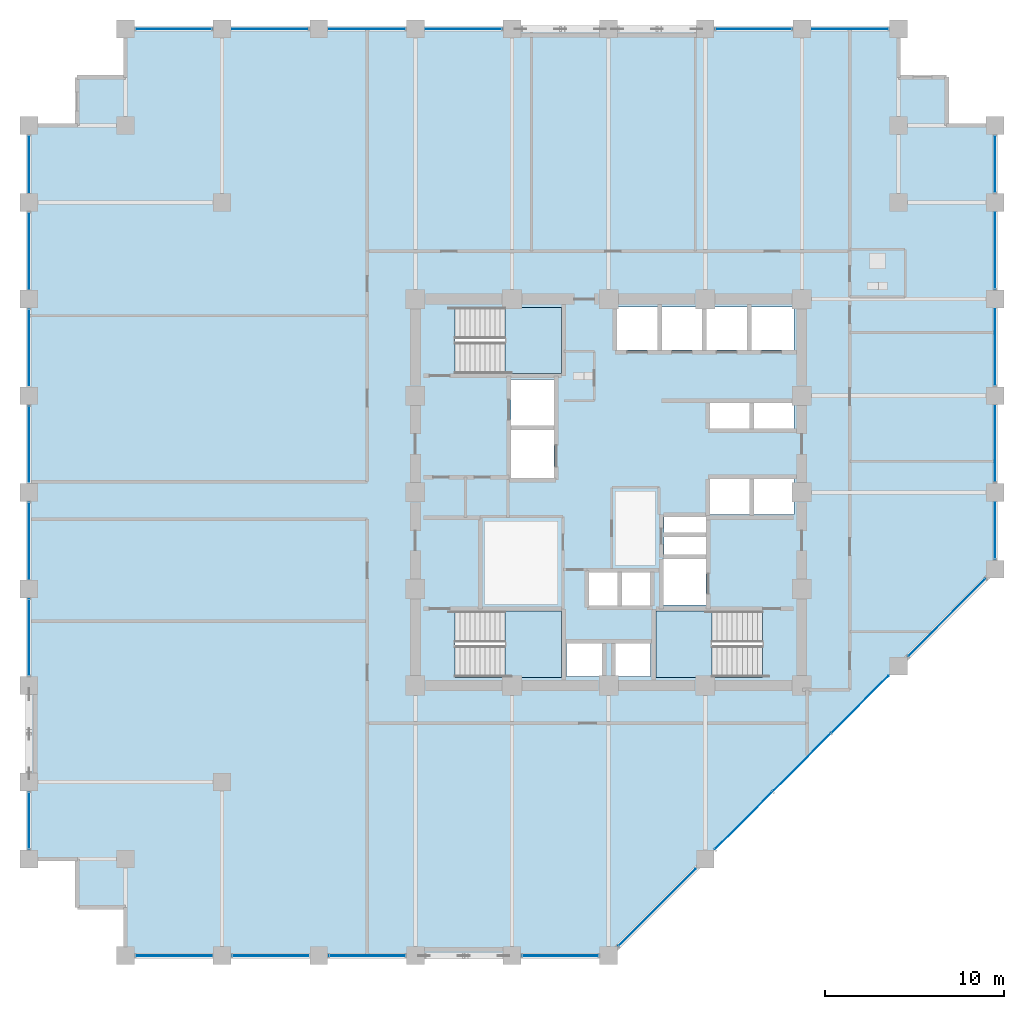
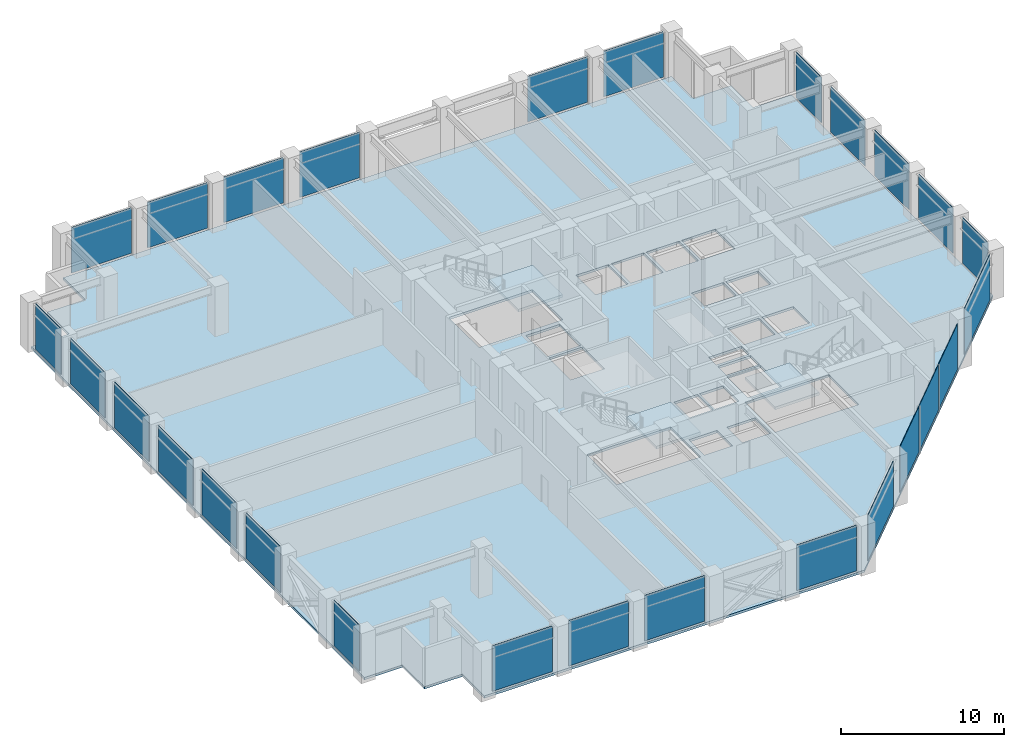
# One storey, part 17 of 23: 27 plates, 4 slabs, 11 elements without a shape of their own.
"""IFC4 building model written with IfcOpenShell, lengths in metres."""

from ifc_helpers import new_model, si_unit, direction, frame, frame_2d, origin, place, context, subcontext, project, spatial, polyline, rectangle, outline, extrude, material, layer, layer_set, type_object, element, aggregate, save


model = new_model("IFC4")

# Units and contexts
model_context = context("Model", 3, precision=1e-05, world=origin(), true_north=direction((0.0, 1.0)))
body_context = subcontext(model_context, "Body", "Model", "MODEL_VIEW")
ifc_project = project(units=[si_unit("LENGTHUNIT", "METRE"), si_unit("AREAUNIT", "SQUARE_METRE"), si_unit("VOLUMEUNIT", "CUBIC_METRE"), si_unit("PLANEANGLEUNIT", "RADIAN"), si_unit("MASSUNIT", "GRAM", prefix="KILO")], contexts=[model_context])

# Site, building, storey
site_placement = place(None, origin())
site = spatial("IfcSite", under=ifc_project, at=site_placement, CompositionType="ELEMENT")
building_placement = place(site_placement, origin())
building = spatial("IfcBuilding", under=site, at=building_placement, Name="Surkhivell Harbour Commons", CompositionType="ELEMENT")
storey_placement = place(building_placement, frame((0.0, 0.0, 132.0)))
storey = spatial("IfcBuildingStorey", under=building, at=storey_placement, Name="L34", CompositionType="ELEMENT", Elevation=132.0)

# Curtain wall, plates
ifc_material_1 = material(Name="Anodised pale-metal aluminium and insulated glazing", Category="aluminium")
ifc_layer_1 = layer(ifc_material_1, 0.205078125)
ifc_layer_set_1 = layer_set([ifc_layer_1], Name="Anodised pale-metal aluminium and insulated glazing")
curtain_wall_type = type_object("IfcCurtainWallType", Name="CW-SYS-Z2", PredefinedType="NOTDEFINED", material=ifc_layer_set_1)
curtain_wall_1_placement = place(storey_placement, origin())
curtain_wall_1 = element("IfcCurtainWall", 1, at=curtain_wall_1_placement, inside=storey, type_object=curtain_wall_type, Name="L34 Curtain Wall CW-L34-E00S1", PredefinedType="NOTDEFINED")
ifc_material_2 = material(Name="High-pressure typhoon laminated vision glass", Category="glass")
ifc_layer_2 = layer(ifc_material_2, 0.035888671875)
ifc_layer_set_2 = layer_set([ifc_layer_2], Name="High-pressure typhoon laminated vision glass")
plate_type = type_object("IfcPlateType", Name="CWP-GLZ-36", PredefinedType="CURTAIN_PANEL", material=ifc_layer_set_2)
plate_1_placement = place(storey_placement, frame((-26.423095703125, -25.89990234375, 0.14990234375), z_axis=(0.0, 0.0, 1.0), x_axis=(1.0, 0.0, 0.0)))
plate_1 = element("IfcPlate", 2, at=plate_1_placement, type_object=plate_type, Name="CW-Z2 panel 1.1", PredefinedType="CURTAIN_PANEL", context=body_context, shape_type="SweptSolid", body=[
    extrude(rectangle(XDim=4.24609375, YDim=0.035888671875, at=frame_2d((2.123046875, 0.0))), origin(), (0.0, 0.0, 1.0), 3.420166015625),
])
plate_2_placement = place(storey_placement, frame((-21.02294921875, -25.89990234375, 0.14990234375), z_axis=(0.0, 0.0, 1.0), x_axis=(1.0, 0.0, 0.0)))
plate_2 = element("IfcPlate", 3, at=plate_2_placement, type_object=plate_type, Name="CW-Z2 panel 2.1", PredefinedType="CURTAIN_PANEL", context=body_context, shape_type="SweptSolid", body=[
    extrude(rectangle(XDim=4.245849609375, YDim=0.035888671875, at=frame_2d((2.123046875, 0.0))), origin(), (0.0, 0.0, 1.0), 3.420166015625),
])
plate_3_placement = place(storey_placement, frame((-15.623046875, -25.89990234375, 0.14990234375), z_axis=(0.0, 0.0, 1.0), x_axis=(1.0, 0.0, 0.0)))
plate_3 = element("IfcPlate", 4, at=plate_3_placement, type_object=plate_type, Name="CW-Z2 panel 3.1", PredefinedType="CURTAIN_PANEL", context=body_context, shape_type="SweptSolid", body=[
    extrude(rectangle(XDim=4.24609375, YDim=0.035888671875, at=frame_2d((2.123046875, 0.0))), origin(), (0.0, 0.0, 1.0), 3.420166015625),
])
aggregate(curtain_wall_1, [plate_1, plate_2, plate_3])

# Curtain wall, plate
curtain_wall_2_placement = place(storey_placement, origin())
curtain_wall_2 = element("IfcCurtainWall", 5, at=curtain_wall_2_placement, inside=storey, type_object=curtain_wall_type, Name="L34 Curtain Wall CW-L34-E00S2", PredefinedType="NOTDEFINED")
plate_4_placement = place(storey_placement, frame((-4.822998046875, -25.89990234375, 0.14990234375), z_axis=(0.0, 0.0, 1.0), x_axis=(1.0, 0.0, 0.0)))
plate_4 = element("IfcPlate", 6, at=plate_4_placement, type_object=plate_type, Name="CW-Z2 panel 1.1", PredefinedType="CURTAIN_PANEL", context=body_context, shape_type="SweptSolid", body=[
    extrude(rectangle(XDim=4.24609375, YDim=0.035888671875, at=frame_2d((2.123046875, 0.0))), origin(), (0.0, 0.0, 1.0), 3.420166015625),
])
aggregate(curtain_wall_2, [plate_4])

# Curtain wall, plates
curtain_wall_3_placement = place(storey_placement, origin())
curtain_wall_3 = element("IfcCurtainWall", 7, at=curtain_wall_3_placement, inside=storey, type_object=curtain_wall_type, Name="L34 Curtain Wall CW-L34-E01", PredefinedType="NOTDEFINED")
plate_5_placement = place(storey_placement, frame((0.5546875, -25.34521484375, 0.14990234375), z_axis=(0.0, 0.0, 1.0), x_axis=(0.707106781187, 0.707106781187, 0.0)))
plate_5 = element("IfcPlate", 8, at=plate_5_placement, type_object=plate_type, Name="CW-Z2 panel 1.1", PredefinedType="CURTAIN_PANEL", context=body_context, shape_type="SweptSolid", body=[
    extrude(rectangle(XDim=6.067626953125, YDim=0.035888671875, at=frame_2d((3.03369140625, 0.0))), origin(), (0.0, 0.0, 1.0), 3.420166015625),
])
plate_6_placement = place(storey_placement, frame((5.954833984375, -19.9453125, 0.14990234375), z_axis=(0.0, 0.0, 1.0), x_axis=(0.707079687416, 0.707133873919, 0.0)))
plate_6 = element("IfcPlate", 9, at=plate_6_placement, type_object=plate_type, Name="CW-Z2 panel 2.1", PredefinedType="CURTAIN_PANEL", context=body_context, shape_type="SweptSolid", body=[
    extrude(rectangle(XDim=4.505615234375, YDim=0.035888671875, at=frame_2d((2.2529296875, 0.0))), origin(), (0.0, 0.0, 1.0), 3.420166015625),
])
plate_7_placement = place(storey_placement, frame((9.19384765625, -16.706298828125, 0.14990234375), z_axis=(0.0, 0.0, 1.0), x_axis=(0.707079911854, 0.707133649498, 0.0)))
plate_7 = element("IfcPlate", 10, at=plate_7_placement, type_object=plate_type, Name="CW-Z2 panel 3.1", PredefinedType="CURTAIN_PANEL", context=body_context, shape_type="SweptSolid", body=[
    extrude(rectangle(XDim=4.543212890625, YDim=0.035888671875, at=frame_2d((2.271484375, 0.0))), origin(), (0.0, 0.0, 1.0), 3.420166015625),
])
plate_8_placement = place(storey_placement, frame((12.459228515625, -13.440673828125, 0.14990234375), z_axis=(0.0, 0.0, 1.0), x_axis=(0.707106781187, 0.707106781187, 0.0)))
plate_8 = element("IfcPlate", 11, at=plate_8_placement, type_object=plate_type, Name="CW-Z2 panel 4.1", PredefinedType="CURTAIN_PANEL", context=body_context, shape_type="SweptSolid", body=[
    extrude(rectangle(XDim=4.505615234375, YDim=0.035888671875, at=frame_2d((2.2529296875, 0.0))), origin(), (0.0, 0.0, 1.0), 3.420166015625),
])
plate_9_placement = place(storey_placement, frame((16.754638671875, -9.145263671875, 0.14990234375), z_axis=(0.0, 0.0, 1.0), x_axis=(0.707106781187, 0.707106781187, 0.0)))
plate_9 = element("IfcPlate", 12, at=plate_9_placement, type_object=plate_type, Name="CW-Z2 panel 5.1", PredefinedType="CURTAIN_PANEL", context=body_context, shape_type="SweptSolid", body=[
    extrude(rectangle(XDim=6.067626953125, YDim=0.035888671875, at=frame_2d((3.03369140625, 0.0))), origin(), (0.0, 0.0, 1.0), 3.420166015625),
])
aggregate(curtain_wall_3, [plate_5, plate_6, plate_7, plate_8, plate_9])

curtain_wall_4_placement = place(storey_placement, origin())
curtain_wall_4 = element("IfcCurtainWall", 13, at=curtain_wall_4_placement, inside=storey, type_object=curtain_wall_type, Name="L34 Curtain Wall CW-L34-E02", PredefinedType="NOTDEFINED")
plate_10_placement = place(storey_placement, frame((21.60009765625, -3.722900390625, 0.14990234375), z_axis=(0.0, 0.0, 1.0), x_axis=(0.0, 1.0, 0.0)))
plate_10 = element("IfcPlate", 14, at=plate_10_placement, type_object=plate_type, Name="CW-Z2 panel 1.1", PredefinedType="CURTAIN_PANEL", context=body_context, shape_type="SweptSolid", body=[
    extrude(rectangle(XDim=3.14599609375, YDim=0.035888671875, at=frame_2d((1.572998046875, 0.0))), origin(), (0.0, 0.0, 1.0), 3.420166015625),
])
plate_11_placement = place(storey_placement, frame((21.60009765625, 0.576904296875, 0.14990234375), z_axis=(0.0, 0.0, 1.0), x_axis=(0.0, 1.0, 0.0)))
plate_11 = element("IfcPlate", 15, at=plate_11_placement, type_object=plate_type, Name="CW-Z2 panel 2.1", PredefinedType="CURTAIN_PANEL", context=body_context, shape_type="SweptSolid", body=[
    extrude(rectangle(XDim=4.24609375, YDim=0.035888671875, at=frame_2d((2.123046875, 0.0))), origin(), (0.0, 0.0, 1.0), 3.420166015625),
])
plate_12_placement = place(storey_placement, frame((21.60009765625, 5.97705078125, 0.14990234375), z_axis=(0.0, 0.0, 1.0), x_axis=(0.0, 1.0, 0.0)))
plate_12 = element("IfcPlate", 16, at=plate_12_placement, type_object=plate_type, Name="CW-Z2 panel 3.1", PredefinedType="CURTAIN_PANEL", context=body_context, shape_type="SweptSolid", body=[
    extrude(rectangle(XDim=4.245849609375, YDim=0.035888671875, at=frame_2d((2.123046875, 0.0))), origin(), (0.0, 0.0, 1.0), 3.420166015625),
])
plate_13_placement = place(storey_placement, frame((21.60009765625, 11.376953125, 0.14990234375), z_axis=(0.0, 0.0, 1.0), x_axis=(0.0, 1.0, 0.0)))
plate_13 = element("IfcPlate", 17, at=plate_13_placement, type_object=plate_type, Name="CW-Z2 panel 4.1", PredefinedType="CURTAIN_PANEL", context=body_context, shape_type="SweptSolid", body=[
    extrude(rectangle(XDim=4.24609375, YDim=0.035888671875, at=frame_2d((2.123046875, 0.0))), origin(), (0.0, 0.0, 1.0), 3.420166015625),
])
plate_14_placement = place(storey_placement, frame((21.60009765625, 16.777099609375, 0.14990234375), z_axis=(0.0, 0.0, 1.0), x_axis=(0.0, 1.0, 0.0)))
plate_14 = element("IfcPlate", 18, at=plate_14_placement, type_object=plate_type, Name="CW-Z2 panel 5.1", PredefinedType="CURTAIN_PANEL", context=body_context, shape_type="SweptSolid", body=[
    extrude(rectangle(XDim=3.14599609375, YDim=0.035888671875, at=frame_2d((1.572998046875, 0.0))), origin(), (0.0, 0.0, 1.0), 3.420166015625),
])
aggregate(curtain_wall_4, [plate_10, plate_11, plate_12, plate_13, plate_14])

curtain_wall_5_placement = place(storey_placement, origin())
curtain_wall_5 = element("IfcCurtainWall", 19, at=curtain_wall_5_placement, inside=storey, type_object=curtain_wall_type, Name="L34 Curtain Wall CW-L34-E07S1", PredefinedType="NOTDEFINED")
plate_15_placement = place(storey_placement, frame((15.623046875, 25.89990234375, 0.14990234375), z_axis=(0.0, 0.0, 1.0), x_axis=(-1.0, 0.0, 0.0)))
plate_15 = element("IfcPlate", 20, at=plate_15_placement, type_object=plate_type, Name="CW-Z2 panel 1.1", PredefinedType="CURTAIN_PANEL", context=body_context, shape_type="SweptSolid", body=[
    extrude(rectangle(XDim=4.24609375, YDim=0.035888671875, at=frame_2d((2.123046875, 0.0))), origin(), (0.0, 0.0, 1.0), 3.420166015625),
])
plate_16_placement = place(storey_placement, frame((10.222900390625, 25.89990234375, 0.14990234375), z_axis=(0.0, 0.0, 1.0), x_axis=(-1.0, 0.0, 0.0)))
plate_16 = element("IfcPlate", 21, at=plate_16_placement, type_object=plate_type, Name="CW-Z2 panel 2.1", PredefinedType="CURTAIN_PANEL", context=body_context, shape_type="SweptSolid", body=[
    extrude(rectangle(XDim=4.245849609375, YDim=0.035888671875, at=frame_2d((2.123046875, 0.0))), origin(), (0.0, 0.0, 1.0), 3.420166015625),
])
aggregate(curtain_wall_5, [plate_15, plate_16])

curtain_wall_6_placement = place(storey_placement, origin())
curtain_wall_6 = element("IfcCurtainWall", 22, at=curtain_wall_6_placement, inside=storey, type_object=curtain_wall_type, Name="L34 Curtain Wall CW-L34-E07S2", PredefinedType="NOTDEFINED")
plate_17_placement = place(storey_placement, frame((-5.97705078125, 25.89990234375, 0.14990234375), z_axis=(0.0, 0.0, 1.0), x_axis=(-1.0, 0.0, 0.0)))
plate_17 = element("IfcPlate", 23, at=plate_17_placement, type_object=plate_type, Name="CW-Z2 panel 1.1", PredefinedType="CURTAIN_PANEL", context=body_context, shape_type="SweptSolid", body=[
    extrude(rectangle(XDim=4.245849609375, YDim=0.035888671875, at=frame_2d((2.123046875, 0.0))), origin(), (0.0, 0.0, 1.0), 3.420166015625),
])
plate_18_placement = place(storey_placement, frame((-11.376953125, 25.89990234375, 0.14990234375), z_axis=(0.0, 0.0, 1.0), x_axis=(-1.0, 0.0, 0.0)))
plate_18 = element("IfcPlate", 24, at=plate_18_placement, type_object=plate_type, Name="CW-Z2 panel 2.1", PredefinedType="CURTAIN_PANEL", context=body_context, shape_type="SweptSolid", body=[
    extrude(rectangle(XDim=4.24609375, YDim=0.035888671875, at=frame_2d((2.123046875, 0.0))), origin(), (0.0, 0.0, 1.0), 3.420166015625),
])
plate_19_placement = place(storey_placement, frame((-16.777099609375, 25.89990234375, 0.14990234375), z_axis=(0.0, 0.0, 1.0), x_axis=(-1.0, 0.0, 0.0)))
plate_19 = element("IfcPlate", 25, at=plate_19_placement, type_object=plate_type, Name="CW-Z2 panel 3.1", PredefinedType="CURTAIN_PANEL", context=body_context, shape_type="SweptSolid", body=[
    extrude(rectangle(XDim=4.245849609375, YDim=0.035888671875, at=frame_2d((2.123046875, 0.0))), origin(), (0.0, 0.0, 1.0), 3.420166015625),
])
plate_20_placement = place(storey_placement, frame((-22.177001953125, 25.89990234375, 0.14990234375), z_axis=(0.0, 0.0, 1.0), x_axis=(-1.0, 0.0, 0.0)))
plate_20 = element("IfcPlate", 26, at=plate_20_placement, type_object=plate_type, Name="CW-Z2 panel 4.1", PredefinedType="CURTAIN_PANEL", context=body_context, shape_type="SweptSolid", body=[
    extrude(rectangle(XDim=4.24609375, YDim=0.035888671875, at=frame_2d((2.123046875, 0.0))), origin(), (0.0, 0.0, 1.0), 3.420166015625),
])
aggregate(curtain_wall_6, [plate_17, plate_18, plate_19, plate_20])

curtain_wall_7_placement = place(storey_placement, origin())
curtain_wall_7 = element("IfcCurtainWall", 27, at=curtain_wall_7_placement, inside=storey, type_object=curtain_wall_type, Name="L34 Curtain Wall CW-L34-E12S1", PredefinedType="NOTDEFINED")
plate_21_placement = place(storey_placement, frame((-32.39990234375, 19.923095703125, 0.14990234375), z_axis=(0.0, 0.0, 1.0), x_axis=(0.0, -1.0, 0.0)))
plate_21 = element("IfcPlate", 28, at=plate_21_placement, type_object=plate_type, Name="CW-Z2 panel 1.1", PredefinedType="CURTAIN_PANEL", context=body_context, shape_type="SweptSolid", body=[
    extrude(rectangle(XDim=3.14599609375, YDim=0.035888671875, at=frame_2d((1.572998046875, 0.0))), origin(), (0.0, 0.0, 1.0), 3.420166015625),
])
plate_22_placement = place(storey_placement, frame((-32.39990234375, 15.623046875, 0.14990234375), z_axis=(0.0, 0.0, 1.0), x_axis=(0.0, -1.0, 0.0)))
plate_22 = element("IfcPlate", 29, at=plate_22_placement, type_object=plate_type, Name="CW-Z2 panel 2.1", PredefinedType="CURTAIN_PANEL", context=body_context, shape_type="SweptSolid", body=[
    extrude(rectangle(XDim=4.24609375, YDim=0.035888671875, at=frame_2d((2.123046875, 0.0))), origin(), (0.0, 0.0, 1.0), 3.420166015625),
])
plate_23_placement = place(storey_placement, frame((-32.39990234375, 10.222900390625, 0.14990234375), z_axis=(0.0, 0.0, 1.0), x_axis=(0.0, -1.0, 0.0)))
plate_23 = element("IfcPlate", 30, at=plate_23_placement, type_object=plate_type, Name="CW-Z2 panel 3.1", PredefinedType="CURTAIN_PANEL", context=body_context, shape_type="SweptSolid", body=[
    extrude(rectangle(XDim=4.245849609375, YDim=0.035888671875, at=frame_2d((2.123046875, 0.0))), origin(), (0.0, 0.0, 1.0), 3.420166015625),
])
plate_24_placement = place(storey_placement, frame((-32.39990234375, 4.822998046875, 0.14990234375), z_axis=(0.0, 0.0, 1.0), x_axis=(0.0, -1.0, 0.0)))
plate_24 = element("IfcPlate", 31, at=plate_24_placement, type_object=plate_type, Name="CW-Z2 panel 4.1", PredefinedType="CURTAIN_PANEL", context=body_context, shape_type="SweptSolid", body=[
    extrude(rectangle(XDim=4.24609375, YDim=0.035888671875, at=frame_2d((2.123046875, 0.0))), origin(), (0.0, 0.0, 1.0), 3.420166015625),
])
plate_25_placement = place(storey_placement, frame((-32.39990234375, -0.576904296875, 0.14990234375), z_axis=(0.0, 0.0, 1.0), x_axis=(0.0, -1.0, 0.0)))
plate_25 = element("IfcPlate", 32, at=plate_25_placement, type_object=plate_type, Name="CW-Z2 panel 5.1", PredefinedType="CURTAIN_PANEL", context=body_context, shape_type="SweptSolid", body=[
    extrude(rectangle(XDim=4.24609375, YDim=0.035888671875, at=frame_2d((2.123046875, 0.0))), origin(), (0.0, 0.0, 1.0), 3.420166015625),
])
plate_26_placement = place(storey_placement, frame((-32.39990234375, -5.97705078125, 0.14990234375), z_axis=(0.0, 0.0, 1.0), x_axis=(0.0, -1.0, 0.0)))
plate_26 = element("IfcPlate", 33, at=plate_26_placement, type_object=plate_type, Name="CW-Z2 panel 6.1", PredefinedType="CURTAIN_PANEL", context=body_context, shape_type="SweptSolid", body=[
    extrude(rectangle(XDim=4.245849609375, YDim=0.035888671875, at=frame_2d((2.123046875, 0.0))), origin(), (0.0, 0.0, 1.0), 3.420166015625),
])
aggregate(curtain_wall_7, [plate_21, plate_22, plate_23, plate_24, plate_25, plate_26])

# Curtain wall, plate
curtain_wall_8_placement = place(storey_placement, origin())
curtain_wall_8 = element("IfcCurtainWall", 34, at=curtain_wall_8_placement, inside=storey, type_object=curtain_wall_type, Name="L34 Curtain Wall CW-L34-E12S2", PredefinedType="NOTDEFINED")
plate_27_placement = place(storey_placement, frame((-32.39990234375, -16.777099609375, 0.14990234375), z_axis=(0.0, 0.0, 1.0), x_axis=(0.0, -1.0, 0.0)))
plate_27 = element("IfcPlate", 35, at=plate_27_placement, type_object=plate_type, Name="CW-Z2 panel 1.1", PredefinedType="CURTAIN_PANEL", context=body_context, shape_type="SweptSolid", body=[
    extrude(rectangle(XDim=3.14599609375, YDim=0.035888671875, at=frame_2d((1.572998046875, 0.0))), origin(), (0.0, 0.0, 1.0), 3.420166015625),
])
aggregate(curtain_wall_8, [plate_27])

# Stair, slab
ifc_material_3 = material(Name="Precast concrete C45/55", Category="concrete")
stair_type = type_object("IfcStairType", Name="STR-DL-375", PredefinedType="HALF_TURN_STAIR", material=ifc_material_3)
stair_1_placement = place(storey_placement, origin())
stair_1 = element("IfcStair", 36, at=stair_1_placement, inside=storey, type_object=stair_type, Name="L34 Core Exit Stair ST1", PredefinedType="HALF_TURN_STAIR")
ifc_material_4 = material(Name="Reinforced concrete C45/55", Category="concrete")
ifc_layer_3 = layer(ifc_material_4, 0.199951171875)
ifc_layer_set_3 = layer_set([ifc_layer_3], Name="Reinforced concrete C45/55")
slab_type_1 = type_object("IfcSlabType", Name="SLB-ST-LND200", PredefinedType="LANDING", material=ifc_layer_set_3)
slab_1_placement = place(storey_placement, frame((0.0, 0.0, 1.675048828125)))
slab_1 = element("IfcSlab", 37, at=slab_1_placement, type_object=slab_type_1, Name="ST1 landing 1", PredefinedType="LANDING", context=body_context, shape_type="SweptSolid", body=[
    extrude(outline(polyline([(-5.7900390625, 6.639892578125), (-2.639892578125, 6.639892578125), (-2.639892578125, 10.340087890625), (-5.7900390625, 10.340087890625), (-5.7900390625, 6.639892578125)])), origin(), (0.0, 0.0, 1.0), 0.199951171875),
])
aggregate(stair_1, [slab_1])

stair_2_placement = place(storey_placement, origin())
stair_2 = element("IfcStair", 38, at=stair_2_placement, inside=storey, type_object=stair_type, Name="L34 Core Exit Stair ST2", PredefinedType="HALF_TURN_STAIR")
slab_2_placement = place(storey_placement, frame((0.0, 0.0, 1.675048828125)))
slab_2 = element("IfcSlab", 39, at=slab_2_placement, type_object=slab_type_1, Name="ST2 landing 1", PredefinedType="LANDING", context=body_context, shape_type="SweptSolid", body=[
    extrude(outline(polyline([(5.7900390625, -6.639892578125), (2.639892578125, -6.639892578125), (2.639892578125, -10.340087890625), (5.7900390625, -10.340087890625), (5.7900390625, -6.639892578125)])), origin(), (0.0, 0.0, 1.0), 0.199951171875),
])
aggregate(stair_2, [slab_2])

stair_3_placement = place(storey_placement, origin())
stair_3 = element("IfcStair", 40, at=stair_3_placement, inside=storey, type_object=stair_type, Name="L34 Core Exit Stair ST3", PredefinedType="HALF_TURN_STAIR")
slab_3_placement = place(storey_placement, frame((0.0, 0.0, 1.675048828125)))
slab_3 = element("IfcSlab", 41, at=slab_3_placement, type_object=slab_type_1, Name="ST3 landing 1", PredefinedType="LANDING", context=body_context, shape_type="SweptSolid", body=[
    extrude(outline(polyline([(-5.7900390625, -10.340087890625), (-2.639892578125, -10.340087890625), (-2.639892578125, -6.639892578125), (-5.7900390625, -6.639892578125), (-5.7900390625, -10.340087890625)])), origin(), (0.0, 0.0, 1.0), 0.199951171875),
])
aggregate(stair_3, [slab_3])

# Slab
ifc_material_5 = material(Name="Concrete C45/55", Category="concrete")
ifc_layer_4 = layer(ifc_material_5, 0.179931640625)
ifc_layer_set_4 = layer_set([ifc_layer_4], Name="Concrete C45/55")
slab_type_2 = type_object("IfcSlabType", Name="SLB-TYP-180", PredefinedType="FLOOR", material=ifc_layer_set_4)
slab_4_placement = place(storey_placement, frame((0.0, 0.0, -0.179931640625)))
element("IfcSlab", 42, at=slab_4_placement, inside=storey, type_object=slab_type_2, Name="L34 Structural Floor Slab", PredefinedType="FLOOR", context=body_context, shape_type="SweptSolid", body=[
    extrude(outline(polyline([(-27.0, -25.89990234375), (0.0, -25.89990234375), (21.60009765625, -4.300048828125), (21.60009765625, 20.5), (18.89990234375, 20.5), (18.89990234375, 23.199951171875), (16.199951171875, 23.199951171875), (16.199951171875, 25.89990234375), (-27.0, 25.89990234375), (-27.0, 23.199951171875), (-29.699951171875, 23.199951171875), (-29.699951171875, 20.5), (-32.39990234375, 20.5), (-32.39990234375, -20.5), (-29.699951171875, -20.5), (-29.699951171875, -23.199951171875), (-27.0, -23.199951171875), (-27.0, -25.89990234375)]), holes=[polyline([(-8.590087890625, 6.639892578125), (-2.639892578125, 6.639892578125), (-2.639892578125, 10.340087890625), (-8.590087890625, 10.340087890625), (-8.590087890625, 6.639892578125)]), polyline([(8.590087890625, -6.639892578125), (2.639892578125, -6.639892578125), (2.639892578125, -10.340087890625), (8.590087890625, -10.340087890625), (8.590087890625, -6.639892578125)]), polyline([(-8.590087890625, -10.340087890625), (-2.639892578125, -10.340087890625), (-2.639892578125, -6.639892578125), (-8.590087890625, -6.639892578125), (-8.590087890625, -10.340087890625)]), polyline([(0.449951171875, 7.949951171875), (2.75, 7.949951171875), (2.75, 10.35009765625), (0.449951171875, 10.35009765625), (0.449951171875, 7.949951171875)]), polyline([(2.949951171875, 7.949951171875), (5.25, 7.949951171875), (5.25, 10.35009765625), (2.949951171875, 10.35009765625), (2.949951171875, 7.949951171875)]), polyline([(5.449951171875, 7.949951171875), (7.75, 7.949951171875), (7.75, 10.35009765625), (5.449951171875, 10.35009765625), (5.449951171875, 7.949951171875)]), polyline([(7.949951171875, 7.949951171875), (10.35009765625, 7.949951171875), (10.35009765625, 10.35009765625), (7.949951171875, 10.35009765625), (7.949951171875, 7.949951171875)]), polyline([(5.64990234375, 3.550048828125), (7.89990234375, 3.550048828125), (7.89990234375, 5.14990234375), (5.64990234375, 5.14990234375), (5.64990234375, 3.550048828125)]), polyline([(8.10009765625, 3.550048828125), (10.35009765625, 3.550048828125), (10.35009765625, 5.14990234375), (8.10009765625, 5.14990234375), (8.10009765625, 3.550048828125)]), polyline([(5.64990234375, -1.25), (7.89990234375, -1.25), (7.89990234375, 0.75), (5.64990234375, 0.75), (5.64990234375, -1.25)]), polyline([(8.10009765625, -1.25), (10.35009765625, -1.25), (10.35009765625, 0.75), (8.10009765625, 0.75), (8.10009765625, -1.25)]), polyline([(-1.14990234375, -6.35009765625), (0.550048828125, -6.35009765625), (0.550048828125, -4.449951171875), (-1.14990234375, -4.449951171875), (-1.14990234375, -6.35009765625)]), polyline([(0.679931640625, -6.35009765625), (2.3798828125, -6.35009765625), (2.3798828125, -4.449951171875), (0.679931640625, -4.449951171875), (0.679931640625, -6.35009765625)]), polyline([(-2.35009765625, -10.300048828125), (-0.35009765625, -10.300048828125), (-0.35009765625, -8.39990234375), (-2.35009765625, -8.39990234375), (-2.35009765625, -10.300048828125)]), polyline([(0.35009765625, -10.300048828125), (2.35009765625, -10.300048828125), (2.35009765625, -8.39990234375), (0.35009765625, -8.39990234375), (0.35009765625, -10.300048828125)]), polyline([(-5.449951171875, 3.699951171875), (-3.050048828125, 3.699951171875), (-3.050048828125, 6.300048828125), (-5.449951171875, 6.300048828125), (-5.449951171875, 3.699951171875)]), polyline([(3.050048828125, -6.300048828125), (5.449951171875, -6.300048828125), (5.449951171875, -3.699951171875), (3.050048828125, -3.699951171875), (3.050048828125, -6.300048828125)]), polyline([(-5.449951171875, 0.800048828125), (-3.050048828125, 0.800048828125), (-3.050048828125, 3.5), (-5.449951171875, 3.5), (-5.449951171875, 0.800048828125)]), polyline([(3.10009765625, -3.550048828125), (5.449951171875, -3.550048828125), (5.449951171875, -2.47998046875), (3.10009765625, -2.47998046875), (3.10009765625, -3.550048828125)]), polyline([(3.10009765625, -2.280029296875), (5.449951171875, -2.280029296875), (5.449951171875, -1.35009765625), (3.10009765625, -1.35009765625), (3.10009765625, -2.280029296875)])]), origin(), (0.0, 0.0, 1.0), 0.179931640625),
])

save(model, "model.ifc")
